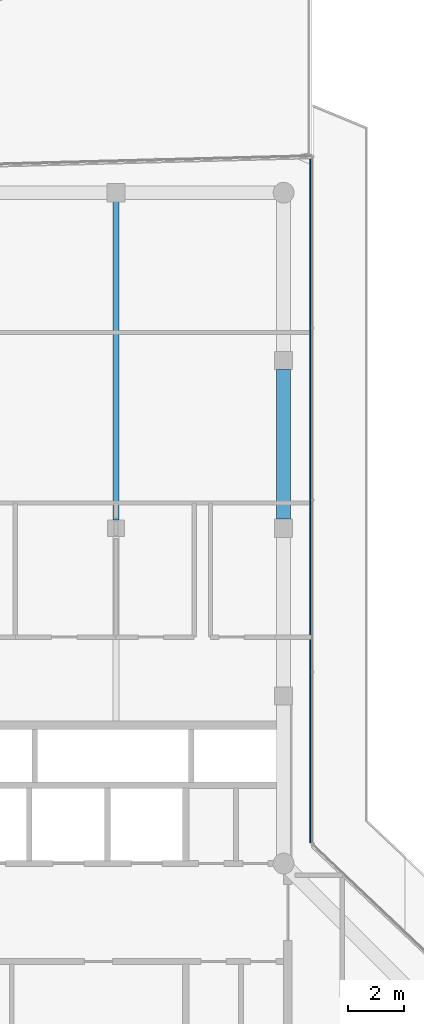
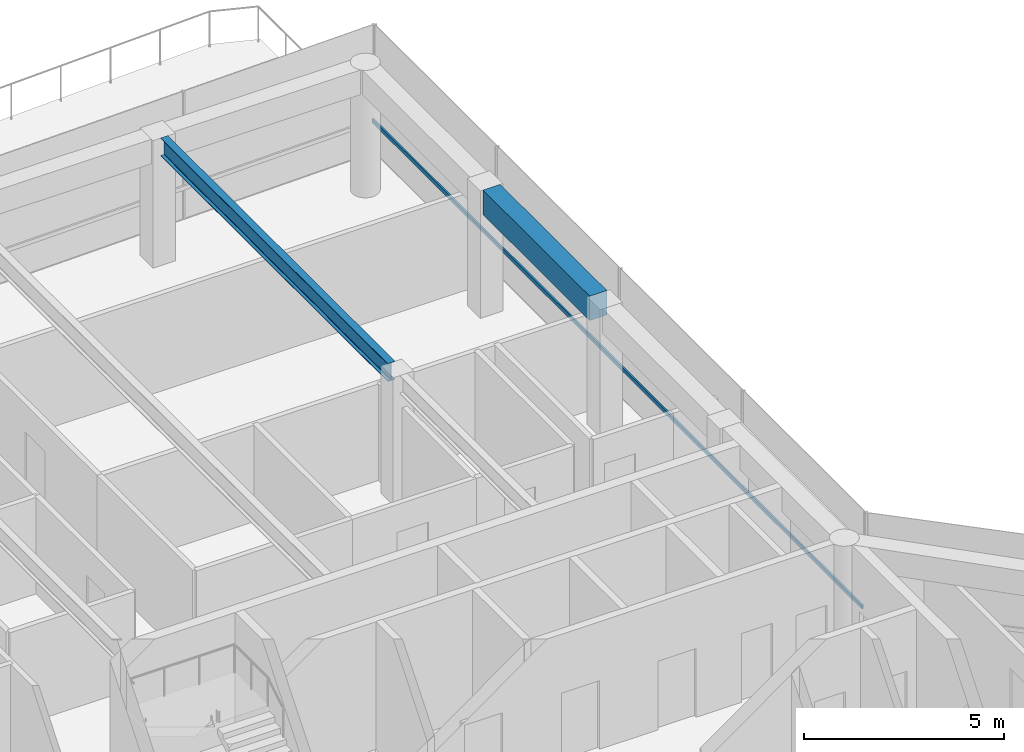
# One storey, part 11 of 20: 2 beams, 1 member, 1 element without a shape of its own.
"""IFC4 building model written with IfcOpenShell, lengths in metres."""

import ifcopenshell
import ifcopenshell.guid

model = None  # the IFC model being written
_history = None  # IfcOwnerHistory: only IFC2X3 demands one
_inside = {}  # id of a spatial element -> (the spatial element, [elements in it])
_under = {}  # id of a project, library or spatial element -> (it, [spatial elements below it])
_declared = {}  # id of a project -> (the project, [libraries it declares])
_typed = {}  # id of a type object -> (the type object, [elements of that type])
_made_of = {}  # id of a material, layer set ... -> (it, [elements and type objects made of it])


def new_model(schema):
    """Start an empty IFC model of exactly this schema.

    Asked for "IFC4X3", IfcOpenShell would pick the latest addendum, in which some entities
    have other attributes; the version numbers below select the first issue.
    IFC2X3 requires an IfcOwnerHistory on every rooted entity: one is made here for all.
    """
    global model, _history
    if schema == "IFC4X3":
        model = ifcopenshell.file(schema_version=(4, 3, 0, 0))
    else:
        model = ifcopenshell.file(schema=schema)
    _inside.clear()
    _under.clear()
    _declared.clear()
    _typed.clear()
    _made_of.clear()
    _history = None
    if model.schema == "IFC2X3":
        org = make("IfcOrganization", Name="unknown")
        user = make(
            "IfcPersonAndOrganization",
            ThePerson=make("IfcPerson", FamilyName="unknown"),
            TheOrganization=org,
        )
        app = make(
            "IfcApplication",
            ApplicationDeveloper=org,
            Version="unknown",
            ApplicationFullName="unknown",
            ApplicationIdentifier="unknown",
        )
        _history = make(
            "IfcOwnerHistory",
            OwningUser=user,
            OwningApplication=app,
            ChangeAction="ADDED",
            CreationDate=0,
        )
    return model


def make(cls, **values):
    """One entity of the class cls with the attributes given. An attribute that is None is left unset."""
    return model.create_entity(
        cls, **{name: value for name, value in values.items() if value is not None}
    )


def rooted(cls, **values):
    """An entity with a GlobalId (a new one), such as an element, a storey or a relation."""
    return make(cls, GlobalId=ifcopenshell.guid.new(), OwnerHistory=_history, **values)


def si_unit(unit_type, name, prefix=None):
    """IfcSIUnit, for example si_unit("LENGTHUNIT", "METRE", prefix="MILLI")."""
    return make("IfcSIUnit", UnitType=unit_type, Prefix=prefix, Name=name)


def assignment(units):
    """IfcUnitAssignment: the units of a project."""
    return None if units is None else make("IfcUnitAssignment", Units=units)


def point(xyz):
    """IfcCartesianPoint."""
    return None if xyz is None else make("IfcCartesianPoint", Coordinates=xyz)


def direction(xyz):
    """IfcDirection."""
    return None if xyz is None else make("IfcDirection", DirectionRatios=xyz)


def frame(location, z_axis=None, x_axis=None):
    """IfcAxis2Placement3D, a coordinate frame: its origin and axes. An axis left out is left unset."""
    return make(
        "IfcAxis2Placement3D",
        Location=point(location),
        Axis=direction(z_axis),
        RefDirection=direction(x_axis),
    )


def frame_2d(location, x_axis=None):
    """IfcAxis2Placement2D, a coordinate frame in the plane: its origin and x axis."""
    return make(
        "IfcAxis2Placement2D", Location=point(location), RefDirection=direction(x_axis)
    )


def origin():
    """The frame at (0, 0, 0) with its axes left unset."""
    return frame((0.0, 0.0, 0.0))


def origin_2d():
    """The frame at (0, 0) in the plane with its x axis left unset."""
    return frame_2d((0.0, 0.0))


def place(relative_to, where):
    """IfcLocalPlacement: puts the frame where relative to a parent placement (None: the world)."""
    return make(
        "IfcLocalPlacement", PlacementRelTo=relative_to, RelativePlacement=where
    )


def context(
    kind, dimensions, precision=None, world=None, true_north=None, identifier=None
):
    """IfcGeometricRepresentationContext, for example the 3D "Model" context."""
    return make(
        "IfcGeometricRepresentationContext",
        ContextIdentifier=identifier,
        ContextType=kind,
        CoordinateSpaceDimension=dimensions,
        Precision=precision,
        WorldCoordinateSystem=world,
        TrueNorth=true_north,
    )


def subcontext(parent, identifier, kind, view, scale=None):
    """IfcGeometricRepresentationSubContext, for example "Body" below "Model"."""
    return make(
        "IfcGeometricRepresentationSubContext",
        ContextIdentifier=identifier,
        ContextType=kind,
        ParentContext=parent,
        TargetScale=scale,
        TargetView=view,
    )


def project(units=None, contexts=None):
    """IfcProject with its units and contexts."""
    return rooted(
        "IfcProject",
        Name="project",
        RepresentationContexts=contexts,
        UnitsInContext=assignment(units),
    )


def spatial(cls, under=None, at=None, **own):
    """A site, building, storey or space (cls), placed at a placement, below another one or the project."""
    s = rooted(cls, ObjectPlacement=at, **own)
    if under is not None:
        _under.setdefault(under.id(), (under, []))[1].append(s)
    return s


def profile(cls, at=None, kind="AREA", **sizes):
    """A parametric profile (cls). Its sizes go by their IFC names, for example OverallWidth=200.0."""
    return make(cls, ProfileType=kind, Position=at, **sizes)


def rectangle(**sizes):
    """IfcRectangleProfileDef."""
    return profile("IfcRectangleProfileDef", **sizes)


def i_section(**sizes):
    """IfcIShapeProfileDef."""
    return profile("IfcIShapeProfileDef", **sizes)


def extrude(swept, where, along, depth):
    """IfcExtrudedAreaSolid: the profile swept, set in the frame where, extruded along a direction by depth."""
    return make(
        "IfcExtrudedAreaSolid",
        SweptArea=swept,
        Position=where,
        ExtrudedDirection=direction(along),
        Depth=depth,
    )


def shape(context_of_items, identifier, shape_type, items):
    """IfcShapeRepresentation: the items that make up one representation, for example the "Body"."""
    return make(
        "IfcShapeRepresentation",
        ContextOfItems=context_of_items,
        RepresentationIdentifier=identifier,
        RepresentationType=shape_type,
        Items=items,
    )


def material(Name=None, Category=None):
    """IfcMaterial."""
    return make("IfcMaterial", Name=Name, Category=Category)


def layer(
    of_material, thickness, ventilated=None, Name=None, Category=None, Priority=None
):
    """IfcMaterialLayer: one layer of a wall or slab, of a material (None: an air gap)."""
    return make(
        "IfcMaterialLayer",
        Material=of_material,
        LayerThickness=thickness,
        IsVentilated=ventilated,
        Name=Name,
        Category=Category,
        Priority=Priority,
    )


def layer_set(layers, Name=None):
    """IfcMaterialLayerSet."""
    return make("IfcMaterialLayerSet", MaterialLayers=layers, LayerSetName=Name)


def material_profile(
    of_material, cross_section, Name=None, Category=None, Priority=None
):
    """IfcMaterialProfile: a cross section and its material."""
    return make(
        "IfcMaterialProfile",
        Name=Name,
        Material=of_material,
        Profile=cross_section,
        Priority=Priority,
        Category=Category,
    )


def profile_set(profiles, Name=None, composite=None):
    """IfcMaterialProfileSet."""
    return make(
        "IfcMaterialProfileSet",
        Name=Name,
        MaterialProfiles=profiles,
        CompositeProfile=composite,
    )


def made_of(thing, what):
    """Note that an element or type object is made of a material, layer set ...; save() writes the relation."""
    if what is not None:
        _made_of.setdefault(what.id(), (what, []))[1].append(thing)
    return thing


def type_object(cls, material=None, **own):
    """A type object (cls), such as IfcWallType, which elements share."""
    return made_of(rooted(cls, **own), material)


def element(
    cls,
    number,
    at=None,
    inside=None,
    cuts=None,
    type_object=None,
    material=None,
    context=None,
    identifier="Body",
    shape_type=None,
    held_by="IfcProductDefinitionShape",
    body=None,
    shapes=None,
    **own,
):
    """One element of the class cls, such as IfcWall. Its Tag is "e" and its number.

    at: its placement. inside: the storey or other place that contains it. cuts: it is an
    opening in that element (IfcRelVoidsElement). A single representation is given by context,
    identifier, shape_type and body (its items); several are given by shapes. held_by: the class
    of the entity that holds the representations. save() writes the other relations.
    """
    e = rooted(cls, Tag="e%d" % number, ObjectPlacement=at, **own)
    if body is not None:
        shapes = [shape(context, identifier, shape_type, body)]
    if shapes is not None:
        e.Representation = make(held_by, Representations=shapes)
    if inside is not None:
        _inside.setdefault(inside.id(), (inside, []))[1].append(e)
    if cuts is not None:
        rooted(
            "IfcRelVoidsElement", RelatingBuildingElement=cuts, RelatedOpeningElement=e
        )
    if type_object is not None:
        _typed.setdefault(type_object.id(), (type_object, []))[1].append(e)
    return made_of(e, material)


def aggregate(whole, parts):
    """IfcRelAggregates: a whole, such as a stair, and the parts it consists of."""
    return rooted("IfcRelAggregates", RelatingObject=whole, RelatedObjects=parts)


def save(model, path):
    """Write the relations noted so far, then the file.

    IfcRelAggregates (storeys below a building ...), IfcRelContainedInSpatialStructure (elements
    in a storey), IfcRelDefinesByType, IfcRelAssociatesMaterial and IfcRelDeclares: one each for
    every whole, place, type object, material and project.
    """
    for whole, parts in _under.values():
        aggregate(whole, parts)
    for where, things in _inside.values():
        rooted(
            "IfcRelContainedInSpatialStructure",
            RelatedElements=things,
            RelatingStructure=where,
        )
    for kind, things in _typed.values():
        rooted("IfcRelDefinesByType", RelatedObjects=things, RelatingType=kind)
    for what, things in _made_of.values():
        rooted("IfcRelAssociatesMaterial", RelatedObjects=things, RelatingMaterial=what)
    for by, libraries in _declared.values():
        rooted("IfcRelDeclares", RelatingContext=by, RelatedDefinitions=libraries)
    model.write(path)


model = new_model("IFC4")

# Units and contexts
model_context = context("Model", 3, precision=1e-05, world=origin(), true_north=direction((0.0, 1.0)))
body_context = subcontext(model_context, "Body", "Model", "MODEL_VIEW")
ifc_project = project(units=[si_unit("LENGTHUNIT", "METRE"), si_unit("AREAUNIT", "SQUARE_METRE"), si_unit("VOLUMEUNIT", "CUBIC_METRE"), si_unit("PLANEANGLEUNIT", "RADIAN"), si_unit("MASSUNIT", "GRAM", prefix="KILO")], contexts=[model_context])

# Site, building, storey
site_placement = place(None, origin())
site = spatial("IfcSite", under=ifc_project, at=site_placement, CompositionType="ELEMENT")
building_placement = place(site_placement, origin())
building = spatial("IfcBuilding", under=site, at=building_placement, Name="Welwitschia Terrace Campus", CompositionType="ELEMENT")
storey_placement = place(building_placement, frame((0.0, 0.0, 327.199951171875)))
storey = spatial("IfcBuildingStorey", under=building, at=storey_placement, Name="L73", CompositionType="ELEMENT", Elevation=327.199951171875)

# Beams
ifc_material_1 = material(Name="Steel S355", Category="steel")
ifc_material_profile_1 = material_profile(ifc_material_1, i_section(OverallWidth=0.2099609375, OverallDepth=0.550048828125, WebThickness=0.010986328125, FlangeThickness=0.01708984375, FilletRadius=0.02392578125, at=origin_2d()))
ifc_profile_set_1 = profile_set([ifc_material_profile_1], Name="Steel S355")
beam_type_1 = type_object("IfcBeamType", Name="Interior girder IPE 550", PredefinedType="BEAM", material=ifc_profile_set_1)
beam_1_placement = place(storey_placement, frame((18.0, 32.300537109375, 3.625), z_axis=(0.0, 1.0, 0.0), x_axis=(-1.0, 0.0, 0.0)))
element("IfcBeam", 1, at=beam_1_placement, inside=storey, type_object=beam_type_1, Name="Girder GB7", PredefinedType="BEAM", context=body_context, shape_type="SweptSolid", body=[
    extrude(i_section(OverallWidth=0.2099609375, OverallDepth=0.550048828125, WebThickness=0.010986328125, FlangeThickness=0.01708984375, FilletRadius=0.02392578125, at=origin_2d()), origin(), (0.0, 0.0, 1.0), 11.384033203125),
])
ifc_material_2 = material(Name="Concrete C40/50", Category="concrete")
ifc_material_profile_2 = material_profile(ifc_material_2, rectangle(XDim=0.5, YDim=0.75, at=origin_2d()))
ifc_profile_set_2 = profile_set([ifc_material_profile_2], Name="Concrete C40/50")
beam_type_2 = type_object("IfcBeamType", Name="Ring spandrel 500x750", PredefinedType="SPANDREL", material=ifc_profile_set_2)
beam_2_placement = place(storey_placement, frame((24.0, 32.325439453125, 3.525146484375), z_axis=(0.0, 1.0, 0.0), x_axis=(-1.0, 0.0, 0.0)))
element("IfcBeam", 2, at=beam_2_placement, inside=storey, type_object=beam_type_2, Name="Spandrel SP5", PredefinedType="SPANDREL", context=body_context, shape_type="SweptSolid", body=[
    extrude(rectangle(XDim=0.5, YDim=0.75, at=origin_2d()), origin(), (0.0, 0.0, 1.0), 5.34912109375),
])

# Curtain wall, member
ifc_material_3 = material(Name="Bronze anodised aluminium", Category="aluminium")
ifc_layer = layer(ifc_material_3, 0.10009765625)
ifc_layer_set = layer_set([ifc_layer], Name="Bronze anodised aluminium")
curtain_wall_type = type_object("IfcCurtainWallType", Name="Curtain wall CW5 crown 6000", PredefinedType="NOTDEFINED", material=ifc_layer_set)
curtain_wall_placement = place(storey_placement, origin())
curtain_wall = element("IfcCurtainWall", 3, at=curtain_wall_placement, inside=storey, type_object=curtain_wall_type, Name="CW L73.7.0", PredefinedType="NOTDEFINED")
ifc_material_4 = material(Name="Bronze anodised aluminium", Category="aluminium")
ifc_material_profile_3 = material_profile(ifc_material_4, rectangle(XDim=0.050048828125, YDim=0.1201171875, at=origin_2d()))
ifc_profile_set_3 = profile_set([ifc_material_profile_3], Name="Bronze anodised aluminium")
member_type = type_object("IfcMemberType", Name="Transom 50x120", PredefinedType="USERDEFINED", material=ifc_profile_set_3)
member_placement = place(storey_placement, frame((24.955078125, 20.741455078125, 1.0), z_axis=(0.0, 1.0, 0.0), x_axis=(-1.0, 0.0, 0.0)))
member = element("IfcMember", 4, at=member_placement, type_object=member_type, Name="Transom L73.7.0", ObjectType="TRANSOM", PredefinedType="USERDEFINED", context=body_context, shape_type="SweptSolid", body=[
    extrude(rectangle(XDim=0.050048828125, YDim=0.1201171875, at=origin_2d()), origin(), (0.0, 0.0, 1.0), 24.53271484375),
])
aggregate(curtain_wall, [member])

save(model, "model.ifc")
